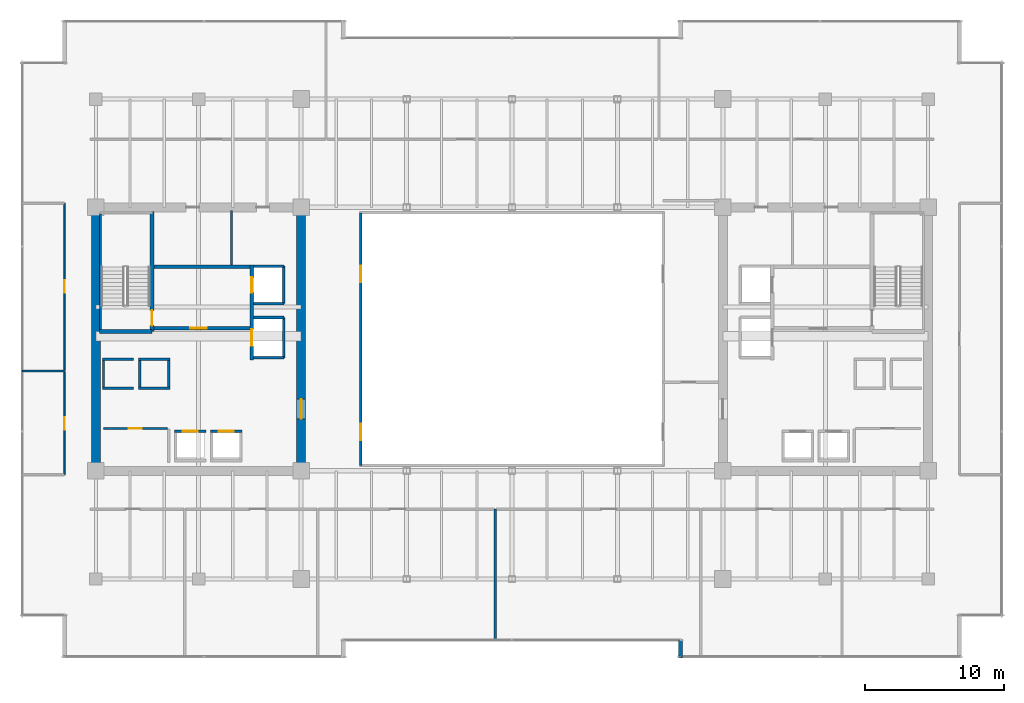
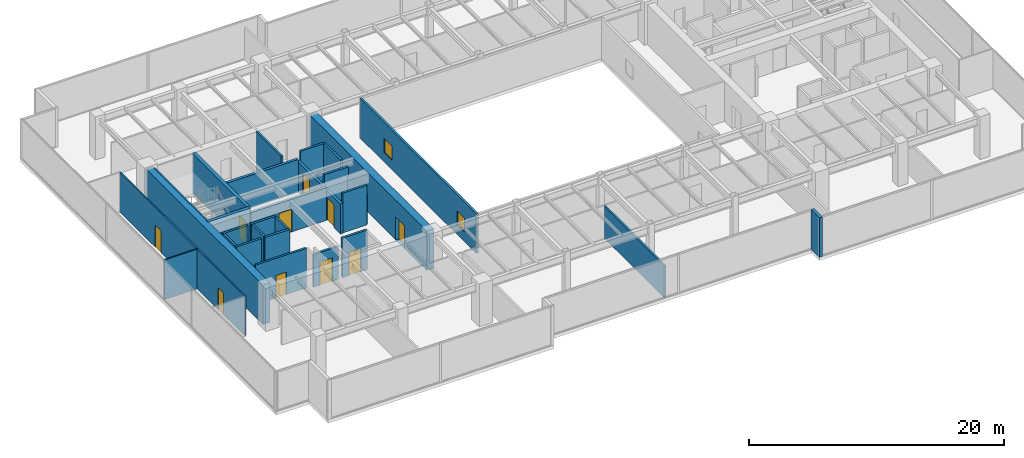
# One storey, part 25 of 30: 31 walls, 10 doors, 2 windows, 12 openings.
"""IFC4 building model written with IfcOpenShell, lengths in metres."""

import ifcopenshell
import ifcopenshell.guid

model = None  # the IFC model being written
_history = None  # IfcOwnerHistory: only IFC2X3 demands one
_inside = {}  # id of a spatial element -> (the spatial element, [elements in it])
_under = {}  # id of a project, library or spatial element -> (it, [spatial elements below it])
_declared = {}  # id of a project -> (the project, [libraries it declares])
_typed = {}  # id of a type object -> (the type object, [elements of that type])
_made_of = {}  # id of a material, layer set ... -> (it, [elements and type objects made of it])


def new_model(schema):
    """Start an empty IFC model of exactly this schema.

    Asked for "IFC4X3", IfcOpenShell would pick the latest addendum, in which some entities
    have other attributes; the version numbers below select the first issue.
    IFC2X3 requires an IfcOwnerHistory on every rooted entity: one is made here for all.
    """
    global model, _history
    if schema == "IFC4X3":
        model = ifcopenshell.file(schema_version=(4, 3, 0, 0))
    else:
        model = ifcopenshell.file(schema=schema)
    _inside.clear()
    _under.clear()
    _declared.clear()
    _typed.clear()
    _made_of.clear()
    _history = None
    if model.schema == "IFC2X3":
        org = make("IfcOrganization", Name="unknown")
        user = make(
            "IfcPersonAndOrganization",
            ThePerson=make("IfcPerson", FamilyName="unknown"),
            TheOrganization=org,
        )
        app = make(
            "IfcApplication",
            ApplicationDeveloper=org,
            Version="unknown",
            ApplicationFullName="unknown",
            ApplicationIdentifier="unknown",
        )
        _history = make(
            "IfcOwnerHistory",
            OwningUser=user,
            OwningApplication=app,
            ChangeAction="ADDED",
            CreationDate=0,
        )
    return model


def make(cls, **values):
    """One entity of the class cls with the attributes given. An attribute that is None is left unset."""
    return model.create_entity(
        cls, **{name: value for name, value in values.items() if value is not None}
    )


def rooted(cls, **values):
    """An entity with a GlobalId (a new one), such as an element, a storey or a relation."""
    return make(cls, GlobalId=ifcopenshell.guid.new(), OwnerHistory=_history, **values)


def si_unit(unit_type, name, prefix=None):
    """IfcSIUnit, for example si_unit("LENGTHUNIT", "METRE", prefix="MILLI")."""
    return make("IfcSIUnit", UnitType=unit_type, Prefix=prefix, Name=name)


def assignment(units):
    """IfcUnitAssignment: the units of a project."""
    return None if units is None else make("IfcUnitAssignment", Units=units)


def point(xyz):
    """IfcCartesianPoint."""
    return None if xyz is None else make("IfcCartesianPoint", Coordinates=xyz)


def direction(xyz):
    """IfcDirection."""
    return None if xyz is None else make("IfcDirection", DirectionRatios=xyz)


def frame(location, z_axis=None, x_axis=None):
    """IfcAxis2Placement3D, a coordinate frame: its origin and axes. An axis left out is left unset."""
    return make(
        "IfcAxis2Placement3D",
        Location=point(location),
        Axis=direction(z_axis),
        RefDirection=direction(x_axis),
    )


def frame_2d(location, x_axis=None):
    """IfcAxis2Placement2D, a coordinate frame in the plane: its origin and x axis."""
    return make(
        "IfcAxis2Placement2D", Location=point(location), RefDirection=direction(x_axis)
    )


def origin():
    """The frame at (0, 0, 0) with its axes left unset."""
    return frame((0.0, 0.0, 0.0))


def place(relative_to, where):
    """IfcLocalPlacement: puts the frame where relative to a parent placement (None: the world)."""
    return make(
        "IfcLocalPlacement", PlacementRelTo=relative_to, RelativePlacement=where
    )


def context(
    kind, dimensions, precision=None, world=None, true_north=None, identifier=None
):
    """IfcGeometricRepresentationContext, for example the 3D "Model" context."""
    return make(
        "IfcGeometricRepresentationContext",
        ContextIdentifier=identifier,
        ContextType=kind,
        CoordinateSpaceDimension=dimensions,
        Precision=precision,
        WorldCoordinateSystem=world,
        TrueNorth=true_north,
    )


def subcontext(parent, identifier, kind, view, scale=None):
    """IfcGeometricRepresentationSubContext, for example "Body" below "Model"."""
    return make(
        "IfcGeometricRepresentationSubContext",
        ContextIdentifier=identifier,
        ContextType=kind,
        ParentContext=parent,
        TargetScale=scale,
        TargetView=view,
    )


def project(units=None, contexts=None):
    """IfcProject with its units and contexts."""
    return rooted(
        "IfcProject",
        Name="project",
        RepresentationContexts=contexts,
        UnitsInContext=assignment(units),
    )


def spatial(cls, under=None, at=None, **own):
    """A site, building, storey or space (cls), placed at a placement, below another one or the project."""
    s = rooted(cls, ObjectPlacement=at, **own)
    if under is not None:
        _under.setdefault(under.id(), (under, []))[1].append(s)
    return s


def profile(cls, at=None, kind="AREA", **sizes):
    """A parametric profile (cls). Its sizes go by their IFC names, for example OverallWidth=200.0."""
    return make(cls, ProfileType=kind, Position=at, **sizes)


def rectangle(**sizes):
    """IfcRectangleProfileDef."""
    return profile("IfcRectangleProfileDef", **sizes)


def extrude(swept, where, along, depth):
    """IfcExtrudedAreaSolid: the profile swept, set in the frame where, extruded along a direction by depth."""
    return make(
        "IfcExtrudedAreaSolid",
        SweptArea=swept,
        Position=where,
        ExtrudedDirection=direction(along),
        Depth=depth,
    )


def shape(context_of_items, identifier, shape_type, items):
    """IfcShapeRepresentation: the items that make up one representation, for example the "Body"."""
    return make(
        "IfcShapeRepresentation",
        ContextOfItems=context_of_items,
        RepresentationIdentifier=identifier,
        RepresentationType=shape_type,
        Items=items,
    )


def source(mapping_origin, context_of_items, identifier, shape_type, items):
    """IfcRepresentationMap: a shape defined once, which mapped items show again and again."""
    return make(
        "IfcRepresentationMap",
        MappingOrigin=mapping_origin,
        MappedRepresentation=shape(context_of_items, identifier, shape_type, items),
    )


def transform(
    local_origin,
    x_axis=None,
    y_axis=None,
    z_axis=None,
    scale=None,
    scale2=None,
    scale3=None,
    uniform=True,
):
    """IfcCartesianTransformationOperator3D, or its non-uniform kind. x_axis, y_axis, z_axis: its Axis1, 2, 3."""
    if uniform:
        return make(
            "IfcCartesianTransformationOperator3D",
            Axis1=direction(x_axis),
            Axis2=direction(y_axis),
            LocalOrigin=point(local_origin),
            Scale=scale,
            Axis3=direction(z_axis),
        )
    return make(
        "IfcCartesianTransformationOperator3DnonUniform",
        Axis1=direction(x_axis),
        Axis2=direction(y_axis),
        LocalOrigin=point(local_origin),
        Scale=scale,
        Axis3=direction(z_axis),
        Scale2=scale2,
        Scale3=scale3,
    )


def mapped(mapping_source, mapping_target):
    """IfcMappedItem: shows the shape of a source again, moved by a transform."""
    return make(
        "IfcMappedItem", MappingSource=mapping_source, MappingTarget=mapping_target
    )


def material(Name=None, Category=None):
    """IfcMaterial."""
    return make("IfcMaterial", Name=Name, Category=Category)


def layer(
    of_material, thickness, ventilated=None, Name=None, Category=None, Priority=None
):
    """IfcMaterialLayer: one layer of a wall or slab, of a material (None: an air gap)."""
    return make(
        "IfcMaterialLayer",
        Material=of_material,
        LayerThickness=thickness,
        IsVentilated=ventilated,
        Name=Name,
        Category=Category,
        Priority=Priority,
    )


def layer_set(layers, Name=None):
    """IfcMaterialLayerSet."""
    return make("IfcMaterialLayerSet", MaterialLayers=layers, LayerSetName=Name)


def made_of(thing, what):
    """Note that an element or type object is made of a material, layer set ...; save() writes the relation."""
    if what is not None:
        _made_of.setdefault(what.id(), (what, []))[1].append(thing)
    return thing


def type_object(cls, material=None, **own):
    """A type object (cls), such as IfcWallType, which elements share."""
    return made_of(rooted(cls, **own), material)


def type_shapes(of_type, sources):
    """Give a type object the sources (RepresentationMaps) that its elements show as mapped items."""
    of_type.RepresentationMaps = sources


def element(
    cls,
    number,
    at=None,
    inside=None,
    cuts=None,
    type_object=None,
    material=None,
    context=None,
    identifier="Body",
    shape_type=None,
    held_by="IfcProductDefinitionShape",
    body=None,
    shapes=None,
    **own,
):
    """One element of the class cls, such as IfcWall. Its Tag is "e" and its number.

    at: its placement. inside: the storey or other place that contains it. cuts: it is an
    opening in that element (IfcRelVoidsElement). A single representation is given by context,
    identifier, shape_type and body (its items); several are given by shapes. held_by: the class
    of the entity that holds the representations. save() writes the other relations.
    """
    e = rooted(cls, Tag="e%d" % number, ObjectPlacement=at, **own)
    if body is not None:
        shapes = [shape(context, identifier, shape_type, body)]
    if shapes is not None:
        e.Representation = make(held_by, Representations=shapes)
    if inside is not None:
        _inside.setdefault(inside.id(), (inside, []))[1].append(e)
    if cuts is not None:
        rooted(
            "IfcRelVoidsElement", RelatingBuildingElement=cuts, RelatedOpeningElement=e
        )
    if type_object is not None:
        _typed.setdefault(type_object.id(), (type_object, []))[1].append(e)
    return made_of(e, material)


def fill(opening, filler):
    """IfcRelFillsElement: the door or window that sits in an opening."""
    return rooted(
        "IfcRelFillsElement",
        RelatingOpeningElement=opening,
        RelatedBuildingElement=filler,
    )


def aggregate(whole, parts):
    """IfcRelAggregates: a whole, such as a stair, and the parts it consists of."""
    return rooted("IfcRelAggregates", RelatingObject=whole, RelatedObjects=parts)


def save(model, path):
    """Write the relations noted so far, then the file.

    IfcRelAggregates (storeys below a building ...), IfcRelContainedInSpatialStructure (elements
    in a storey), IfcRelDefinesByType, IfcRelAssociatesMaterial and IfcRelDeclares: one each for
    every whole, place, type object, material and project.
    """
    for whole, parts in _under.values():
        aggregate(whole, parts)
    for where, things in _inside.values():
        rooted(
            "IfcRelContainedInSpatialStructure",
            RelatedElements=things,
            RelatingStructure=where,
        )
    for kind, things in _typed.values():
        rooted("IfcRelDefinesByType", RelatedObjects=things, RelatingType=kind)
    for what, things in _made_of.values():
        rooted("IfcRelAssociatesMaterial", RelatedObjects=things, RelatingMaterial=what)
    for by, libraries in _declared.values():
        rooted("IfcRelDeclares", RelatingContext=by, RelatedDefinitions=libraries)
    model.write(path)


model = new_model("IFC4")

# Units and contexts
model_context = context("Model", 3, precision=1e-05, world=origin(), true_north=direction((0.0, 1.0)))
body_context = subcontext(model_context, "Body", "Model", "MODEL_VIEW")
ifc_project = project(units=[si_unit("LENGTHUNIT", "METRE"), si_unit("AREAUNIT", "SQUARE_METRE"), si_unit("VOLUMEUNIT", "CUBIC_METRE"), si_unit("PLANEANGLEUNIT", "RADIAN"), si_unit("MASSUNIT", "GRAM", prefix="KILO")], contexts=[model_context])

# Site, building, storey
site_placement = place(None, origin())
site = spatial("IfcSite", under=ifc_project, at=site_placement, CompositionType="ELEMENT")
building_placement = place(site_placement, origin())
building = spatial("IfcBuilding", under=site, at=building_placement, Name="Haelvirn Gate Laboratories", CompositionType="ELEMENT")
storey_placement = place(building_placement, frame((0.0, 0.0, 129.699951171875)))
storey = spatial("IfcBuildingStorey", under=building, at=storey_placement, Name="L31", CompositionType="ELEMENT", Elevation=129.699951171875)

# Walls
ifc_material_1 = material(Name="Thermally-broken bronze aluminium rainscreen & mineral wool", Category="aluminium")
ifc_layer_1 = layer(ifc_material_1, 0.280029296875, Name="EW-TERR-280")
ifc_layer_set_1 = layer_set([ifc_layer_1], Name="Thermally-broken bronze aluminium rainscreen & mineral wool")
wall_type_1 = type_object("IfcWallType", Name="EW-TERR-280", PredefinedType="STANDARD", material=ifc_layer_set_1)
wall_1_placement = place(storey_placement, frame((49.5400390625, 2.587890625, 0.0), z_axis=(0.0, 0.0, 1.0), x_axis=(0.0, -1.0, 0.0)))
element("IfcWall", 1, at=wall_1_placement, inside=storey, type_object=wall_type_1, Name="L31 Atrium Recess Bronze Return Wall 03", PredefinedType="STANDARD", context=body_context, shape_type="SweptSolid", body=[
    extrude(rectangle(XDim=1.287841796875, YDim=0.280029296875, at=frame_2d((0.64404296875, 0.0))), origin(), (0.0, 0.0, 1.0), 3.7900390625),
])
ifc_material_2 = material(Name="Double-layer acoustic gypsum laboratory partition", Category="gypsum")
ifc_layer_2 = layer(ifc_material_2, 0.159912109375, Name="IW-ACOUST-160")
ifc_layer_set_2 = layer_set([ifc_layer_2], Name="Double-layer acoustic gypsum laboratory partition")
wall_type_2 = type_object("IfcWallType", Name="IW-ACOUST-160", PredefinedType="PARTITIONING", material=ifc_layer_set_2)
wall_2_placement = place(storey_placement, frame((36.199951171875, 2.610107421875, 0.0), z_axis=(0.0, 0.0, 1.0), x_axis=(0.0, 1.0, 0.0)))
element("IfcWall", 2, at=wall_2_placement, inside=storey, type_object=wall_type_2, Name="L31 Interior Wall IW-L31-SDIV-03", PredefinedType="PARTITIONING", context=body_context, shape_type="SweptSolid", body=[
    extrude(rectangle(XDim=9.429931640625, YDim=0.159912109375, at=frame_2d((4.71484375, 0.0))), origin(), (0.0, 0.0, 1.0), 3.074951171875),
])

# Wall, openings, windows
ifc_material_3 = material(Name="Tempered fire-rated borosilicate glass & anodised aluminium", Category="aluminium")
ifc_layer_3 = layer(ifc_material_3, 0.195068359375, Name="IW-GLAZ-200")
ifc_layer_set_3 = layer_set([ifc_layer_3], Name="Tempered fire-rated borosilicate glass & anodised aluminium")
wall_type_3 = type_object("IfcWallType", Name="IW-GLAZ-200", PredefinedType="SOLIDWALL", material=ifc_layer_set_3)
wall_3_placement = place(storey_placement, frame((26.5, 15.199951171875, 0.0), z_axis=(0.0, 0.0, 1.0), x_axis=(0.0, 1.0, 0.0)))
wall_3 = element("IfcWall", 3, at=wall_3_placement, inside=storey, type_object=wall_type_3, Name="L31 Interior Wall IW-L31-ATRIUM-W", PredefinedType="SOLIDWALL", context=body_context, shape_type="SweptSolid", body=[
    extrude(rectangle(XDim=18.199951171875, YDim=0.195068359375, at=frame_2d((9.10009765625, 0.0))), origin(), (0.0, 0.0, 1.0), 3.7900390625),
])
opening_1_placement = place(wall_3_placement, frame((1.800048828125, 0.0, 0.89990234375)))
opening_1 = element("IfcOpeningElement", 4, at=opening_1_placement, cuts=wall_3, Name="Opening W6", PredefinedType="OPENING", context=body_context, shape_type="SweptSolid", body=[
    extrude(rectangle(XDim=1.199951171875, YDim=1.35009765625, at=frame_2d((0.60009765625, 0.675048828125))), frame((0.0, 0.107421875, 0.0), z_axis=(0.0, -1.0, 0.0), x_axis=(1.0, 0.0, 0.0)), (0.0, 0.0, 1.0), 0.215087890625),
])
opening_2_placement = place(wall_3_placement, frame((13.199951171875, 0.0, 0.89990234375)))
opening_2 = element("IfcOpeningElement", 5, at=opening_2_placement, cuts=wall_3, Name="Opening W6", PredefinedType="OPENING", context=body_context, shape_type="SweptSolid", body=[
    extrude(rectangle(XDim=1.199951171875, YDim=1.35009765625, at=frame_2d((0.60009765625, 0.675048828125))), frame((0.0, 0.107421875, 0.0), z_axis=(0.0, -1.0, 0.0), x_axis=(1.0, 0.0, 0.0)), (0.0, 0.0, 1.0), 0.215087890625),
])
ifc_material_4 = material(Name="Fire-rated EI 120 borosilicate atrium vision glazing", Category="glass")
window_type = type_object("IfcWindowType", Name="WN-ATR-1200", PartitioningType="SINGLE_PANEL", PredefinedType="WINDOW", material=ifc_material_4)
shared_shape_1 = source(origin(), body_context, "Body", "SweptSolid", [
    extrude(rectangle(XDim=1.199951171875, YDim=1.35009765625, at=frame_2d((0.60009765625, 0.675048828125))), frame((0.0, 0.030029296875, 0.0), z_axis=(0.0, -1.0, 0.0), x_axis=(1.0, 0.0, 0.0)), (0.0, 0.0, 1.0), 0.06005859375),
])
type_shapes(window_type, [shared_shape_1])
window_1_placement = place(opening_1_placement, origin())
window_1 = element("IfcWindow", 6, at=window_1_placement, inside=storey, type_object=window_type, Name="L31 Atrium Observation Window 1", OverallHeight=1.35009765625, OverallWidth=1.199951171875, PartitioningType="SINGLE_PANEL", PredefinedType="WINDOW", context=body_context, shape_type="MappedRepresentation", body=[
    mapped(shared_shape_1, transform((0.0, 0.0, 0.0), scale=1.0)),
])
fill(opening_1, window_1)
window_2_placement = place(opening_2_placement, origin())
window_2 = element("IfcWindow", 7, at=window_2_placement, inside=storey, type_object=window_type, Name="L31 Atrium Observation Window 2", OverallHeight=1.35009765625, OverallWidth=1.199951171875, PartitioningType="SINGLE_PANEL", PredefinedType="WINDOW", context=body_context, shape_type="MappedRepresentation", body=[
    mapped(shared_shape_1, transform((0.0, 0.0, 0.0), scale=1.0)),
])
fill(opening_2, window_2)

# Wall, opening, door
ifc_material_5 = material(Name="Lightweight acoustic gypsum board partition", Category="gypsum")
ifc_layer_4 = layer(ifc_material_5, 0.1201171875, Name="IW-PART-120")
ifc_layer_set_4 = layer_set([ifc_layer_4], Name="Lightweight acoustic gypsum board partition")
wall_type_4 = type_object("IfcWallType", Name="IW-PART-120", PredefinedType="PARTITIONING", material=ifc_layer_set_4)
wall_4_placement = place(storey_placement, frame((5.1298828125, 14.514892578125, 0.0), z_axis=(0.0, 0.0, 1.0), x_axis=(0.0, 1.0, 0.0)))
wall_4 = element("IfcWall", 8, at=wall_4_placement, inside=storey, type_object=wall_type_4, Name="L31 Interior Wall IW-L31-WPASS-01", PredefinedType="PARTITIONING", context=body_context, shape_type="SweptSolid", body=[
    extrude(rectangle(XDim=7.425048828125, YDim=0.1201171875, at=frame_2d((3.71240234375, 0.0))), origin(), (0.0, 0.0, 1.0), 3.7900390625),
])
opening_3_placement = place(wall_4_placement, frame((3.262451171875, 0.0, 0.0)))
opening_3 = element("IfcOpeningElement", 9, at=opening_3_placement, cuts=wall_4, Name="Opening D4", PredefinedType="OPENING", context=body_context, shape_type="SweptSolid", body=[
    extrude(rectangle(XDim=0.89990234375, YDim=2.10009765625, at=frame_2d((0.449951171875, 1.050048828125))), frame((0.0, 0.070068359375, 0.0), z_axis=(0.0, -1.0, 0.0), x_axis=(1.0, 0.0, 0.0)), (0.0, 0.0, 1.0), 0.14013671875),
])
ifc_material_6 = material(Name="Glazed aluminium-framed write-up door", Category="aluminium")
door_type_1 = type_object("IfcDoorType", Name="DR-OFF-900", OperationType="NOTDEFINED", PredefinedType="DOOR", material=ifc_material_6)
shared_shape_2 = source(origin(), body_context, "Body", "SweptSolid", [
    extrude(rectangle(XDim=0.89990234375, YDim=2.10009765625, at=frame_2d((0.449951171875, 1.050048828125))), frame((0.0, 0.02490234375, 0.0), z_axis=(0.0, -1.0, 0.0), x_axis=(1.0, 0.0, 0.0)), (0.0, 0.0, 1.0), 0.050048828125),
])
type_shapes(door_type_1, [shared_shape_2])
door_1_placement = place(opening_3_placement, origin())
door_1 = element("IfcDoor", 10, at=door_1_placement, inside=storey, type_object=door_type_1, Name="L31 Researcher Break Pantry Door W1", OperationType="SINGLE_SWING_LEFT", OverallHeight=2.10009765625, OverallWidth=0.89990234375, PredefinedType="DOOR", context=body_context, shape_type="MappedRepresentation", body=[
    mapped(shared_shape_2, transform((0.0, 0.0, 0.0), scale=1.0)),
])
fill(opening_3, door_1)

# Wall
wall_5_placement = place(storey_placement, frame((2.110107421875, 22.0, 0.0), z_axis=(0.0, 0.0, 1.0), x_axis=(1.0, 0.0, 0.0)))
element("IfcWall", 11, at=wall_5_placement, inside=storey, type_object=wall_type_4, Name="L31 Interior Wall IW-L31-WDIV-01", PredefinedType="PARTITIONING", context=body_context, shape_type="SweptSolid", body=[
    extrude(rectangle(XDim=3.019775390625, YDim=0.1201171875, at=frame_2d((1.509765625, 0.0))), origin(), (0.0, 0.0, 1.0), 3.7900390625),
])

# Wall, opening, door
wall_6_placement = place(storey_placement, frame((5.1298828125, 22.06005859375, 0.0), z_axis=(0.0, 0.0, 1.0), x_axis=(0.0, 1.0, 0.0)))
wall_6 = element("IfcWall", 12, at=wall_6_placement, inside=storey, type_object=wall_type_4, Name="L31 Interior Wall IW-L31-WPASS-02", PredefinedType="PARTITIONING", context=body_context, shape_type="SweptSolid", body=[
    extrude(rectangle(XDim=12.02490234375, YDim=0.1201171875, at=frame_2d((6.012451171875, 0.0))), origin(), (0.0, 0.0, 1.0), 3.7900390625),
])
opening_4_placement = place(wall_6_placement, frame((5.5625, 0.0, 0.0)))
opening_4 = element("IfcOpeningElement", 13, at=opening_4_placement, cuts=wall_6, Name="Opening D4", PredefinedType="OPENING", context=body_context, shape_type="SweptSolid", body=[
    extrude(rectangle(XDim=0.89990234375, YDim=2.10009765625, at=frame_2d((0.449951171875, 1.050048828125))), frame((0.0, 0.070068359375, 0.0), z_axis=(0.0, -1.0, 0.0), x_axis=(1.0, 0.0, 0.0)), (0.0, 0.0, 1.0), 0.14013671875),
])
door_2_placement = place(opening_4_placement, origin())
door_2 = element("IfcDoor", 14, at=door_2_placement, inside=storey, type_object=door_type_1, Name="L31 Bioprocess Foundry Laboratory Door W2", OperationType="SINGLE_SWING_RIGHT", OverallHeight=2.10009765625, OverallWidth=0.89990234375, PredefinedType="DOOR", context=body_context, shape_type="MappedRepresentation", body=[
    mapped(shared_shape_2, transform((0.0, 0.0, 0.0), scale=1.0)),
])
fill(opening_4, door_2)

# Walls
ifc_material_7 = material(Name="Cement-board restroom plumbing chase wall", Category="gypsum")
ifc_layer_5 = layer(ifc_material_7, 0.155029296875, Name="IW-PLUMB-160")
ifc_layer_set_5 = layer_set([ifc_layer_5], Name="Cement-board restroom plumbing chase wall")
wall_type_5 = type_object("IfcWallType", Name="IW-PLUMB-160", PredefinedType="PLUMBINGWALL", material=ifc_layer_set_5)
wall_7_placement = place(storey_placement, frame((17.18994140625, 29.64990234375, 0.0), z_axis=(0.0, 0.0, 1.0), x_axis=(0.0, 1.0, 0.0)))
element("IfcWall", 15, at=wall_7_placement, inside=storey, type_object=wall_type_5, Name="L31 Interior Wall IW-L31-W-CDIV-1", PredefinedType="PLUMBINGWALL", context=body_context, shape_type="SweptSolid", body=[
    extrude(rectangle(XDim=3.93017578125, YDim=0.155029296875, at=frame_2d((1.965087890625, 0.0))), origin(), (0.0, 0.0, 1.0), 3.7900390625),
])
ifc_material_8 = material(Name="Concrete C40/50", Category="concrete")
ifc_layer_6 = layer(ifc_material_8, 0.179931640625, Name="IW-SHAFT-180")
ifc_layer_set_6 = layer_set([ifc_layer_6], Name="Concrete C40/50")
wall_type_6 = type_object("IfcWallType", Name="IW-SHAFT-180", PredefinedType="SOLIDWALL", material=ifc_layer_set_6)
for number, where, z_axis, x_axis, name in (
    (16, (7.949951171875, 20.85009765625, 0.0), (0.0, 0.0, 1.0), (0.0, 1.0, 0.0), "L31 Interior Wall IW-L31-PL9-SD"),
    (17, (10.550048828125, 20.85009765625, 0.0), (0.0, 0.0, 1.0), (0.0, 1.0, 0.0), "L31 Interior Wall IW-L31-PL10-SD"),
    (18, (12.64990234375, 20.85009765625, 0.0), (0.0, 0.0, 1.0), (0.0, 1.0, 0.0), "L31 Interior Wall IW-L31-PL10-SDE"),
):
    element("IfcWall", number, at=place(storey_placement, frame(where, z_axis=z_axis, x_axis=x_axis)), inside=storey, type_object=wall_type_6, Name=name, PredefinedType="SOLIDWALL", context=body_context, shape_type="SweptSolid", body=[
        extrude(rectangle(XDim=1.89990234375, YDim=0.179931640625, at=frame_2d((0.949951171875, 0.0))), origin(), (0.0, 0.0, 1.0), 3.7900390625),
    ])

# Wall, opening, door
wall_8_placement = place(storey_placement, frame((7.949951171875, 17.85009765625, 0.0), z_axis=(0.0, 0.0, 1.0), x_axis=(1.0, 0.0, 0.0)))
wall_8 = element("IfcWall", 19, at=wall_8_placement, inside=storey, type_object=wall_type_6, Name="L31 Interior Wall IW-L31-W-FREED-LN-1", PredefinedType="SOLIDWALL", context=body_context, shape_type="SweptSolid", body=[
    extrude(rectangle(XDim=4.60009765625, YDim=0.179931640625, at=frame_2d((2.300048828125, 0.0))), origin(), (0.0, 0.0, 1.0), 3.7900390625),
])
opening_5_placement = place(wall_8_placement, frame((1.824951171875, 0.0, 0.0)))
opening_5 = element("IfcOpeningElement", 20, at=opening_5_placement, cuts=wall_8, Name="Opening FD4", PredefinedType="OPENING", context=body_context, shape_type="SweptSolid", body=[
    extrude(rectangle(XDim=0.949951171875, YDim=2.14990234375, at=frame_2d((0.47509765625, 1.074951171875))), frame((0.0, 0.10009765625, 0.0), z_axis=(0.0, -1.0, 0.0), x_axis=(1.0, 0.0, 0.0)), (0.0, 0.0, 1.0), 0.199951171875),
])
ifc_material_9 = material(Name="Fire-rated steel SM355 core service door", Category="steel")
door_type_2 = type_object("IfcDoorType", Name="DR-FD-950", OperationType="NOTDEFINED", PredefinedType="DOOR", material=ifc_material_9)
shared_shape_3 = source(origin(), body_context, "Body", "SweptSolid", [
    extrude(rectangle(XDim=0.949951171875, YDim=2.14990234375, at=frame_2d((0.47509765625, 1.074951171875))), frame((0.0, 0.02490234375, 0.0), z_axis=(0.0, -1.0, 0.0), x_axis=(1.0, 0.0, 0.0)), (0.0, 0.0, 1.0), 0.050048828125),
])
type_shapes(door_type_2, [shared_shape_3])
door_3_placement = place(opening_5_placement, origin())
door_3 = element("IfcDoor", 21, at=door_3_placement, inside=storey, type_object=door_type_2, Name="L31 Cryogenic Specimen Biobank Door", OperationType="SINGLE_SWING_LEFT", OverallHeight=2.14990234375, OverallWidth=0.949951171875, PredefinedType="DOOR", context=body_context, shape_type="MappedRepresentation", body=[
    mapped(shared_shape_3, transform((0.0, 0.0, 0.0), scale=1.0)),
])
fill(opening_5, door_3)

ifc_layer_7 = layer(ifc_material_8, 0.199951171875, Name="IW-SHAFT-200")
ifc_layer_set_7 = layer_set([ifc_layer_7], Name="Concrete C40/50")
wall_type_7 = type_object("IfcWallType", Name="IW-SHAFT-200", PredefinedType="SOLIDWALL", material=ifc_layer_set_7)
wall_9_placement = place(storey_placement, frame((13.070068359375, 17.64990234375, 0.0), z_axis=(0.0, 0.0, 1.0), x_axis=(1.0, 0.0, 0.0)))
wall_9 = element("IfcWall", 22, at=wall_9_placement, inside=storey, type_object=wall_type_7, Name="L31 Interior Wall IW-L31-PL5-FR", PredefinedType="SOLIDWALL", context=body_context, shape_type="SweptSolid", body=[
    extrude(rectangle(XDim=2.260009765625, YDim=0.199951171875, at=frame_2d((1.1298828125, 0.0))), origin(), (0.0, 0.0, 1.0), 3.125),
])
opening_6_placement = place(wall_9_placement, frame((0.580078125, 0.0, 0.0)))
opening_6 = element("IfcOpeningElement", 23, at=opening_6_placement, cuts=wall_9, Name="Opening LD2", PredefinedType="OPENING", context=body_context, shape_type="SweptSolid", body=[
    extrude(rectangle(XDim=1.10009765625, YDim=2.219970703125, at=frame_2d((0.550048828125, 1.10986328125))), frame((0.0, 0.10986328125, 0.0), z_axis=(0.0, -1.0, 0.0), x_axis=(1.0, 0.0, 0.0)), (0.0, 0.0, 1.0), 0.219970703125),
])
ifc_material_10 = material(Name="Bronze stainless 316L sliding lift landing door")
door_type_3 = type_object("IfcDoorType", Name="DR-LD-1100", OperationType="NOTDEFINED", PredefinedType="USERDEFINED", material=ifc_material_10)
shared_shape_4 = source(origin(), body_context, "Body", "SweptSolid", [
    extrude(rectangle(XDim=1.10009765625, YDim=2.219970703125, at=frame_2d((0.550048828125, 1.10986328125))), frame((0.0, 0.02490234375, 0.0), z_axis=(0.0, -1.0, 0.0), x_axis=(1.0, 0.0, 0.0)), (0.0, 0.0, 1.0), 0.050048828125),
])
type_shapes(door_type_3, [shared_shape_4])
door_4_placement = place(opening_6_placement, origin())
door_4 = element("IfcDoor", 24, at=door_4_placement, inside=storey, type_object=door_type_3, Name="L31 Passenger Lift PL5 Landing Door", ObjectType="LANDING_DOOR", OperationType="SLIDING_TO_LEFT", OverallHeight=2.219970703125, OverallWidth=1.10009765625, PredefinedType="USERDEFINED", context=body_context, shape_type="MappedRepresentation", body=[
    mapped(shared_shape_4, transform((0.0, 0.0, 0.0), scale=1.0)),
])
fill(opening_6, door_4)

wall_10_placement = place(storey_placement, frame((15.669921875, 17.64990234375, 0.0), z_axis=(0.0, 0.0, 1.0), x_axis=(1.0, 0.0, 0.0)))
wall_10 = element("IfcWall", 25, at=wall_10_placement, inside=storey, type_object=wall_type_7, Name="L31 Interior Wall IW-L31-PL6-FR", PredefinedType="SOLIDWALL", context=body_context, shape_type="SweptSolid", body=[
    extrude(rectangle(XDim=2.260009765625, YDim=0.199951171875, at=frame_2d((1.1298828125, 0.0))), origin(), (0.0, 0.0, 1.0), 3.7900390625),
])
opening_7_placement = place(wall_10_placement, frame((0.580078125, 0.0, 0.0)))
opening_7 = element("IfcOpeningElement", 26, at=opening_7_placement, cuts=wall_10, Name="Opening LD2", PredefinedType="OPENING", context=body_context, shape_type="SweptSolid", body=[
    extrude(rectangle(XDim=1.10009765625, YDim=2.219970703125, at=frame_2d((0.550048828125, 1.10986328125))), frame((0.0, 0.10986328125, 0.0), z_axis=(0.0, -1.0, 0.0), x_axis=(1.0, 0.0, 0.0)), (0.0, 0.0, 1.0), 0.219970703125),
])
door_5_placement = place(opening_7_placement, origin())
door_5 = element("IfcDoor", 27, at=door_5_placement, inside=storey, type_object=door_type_3, Name="L31 Passenger Lift PL6 Landing Door", ObjectType="LANDING_DOOR", OperationType="SLIDING_TO_RIGHT", OverallHeight=2.219970703125, OverallWidth=1.10009765625, PredefinedType="USERDEFINED", context=body_context, shape_type="MappedRepresentation", body=[
    mapped(shared_shape_4, transform((0.0, 0.0, 0.0), scale=1.0)),
])
fill(opening_7, door_5)

# Walls
for number, where, z_axis, x_axis, name in (
    (28, (7.8701171875, 20.75, 0.0), (0.0, 0.0, 1.0), (1.0, 0.0, 0.0), "L31 Interior Wall IW-L31-PL9-FR"),
    (29, (7.8701171875, 22.85009765625, 0.0), (0.0, 0.0, 1.0), (1.0, 0.0, 0.0), "L31 Interior Wall IW-L31-PL9-BK"),
):
    element("IfcWall", number, at=place(storey_placement, frame(where, z_axis=z_axis, x_axis=x_axis)), inside=storey, type_object=wall_type_7, Name=name, PredefinedType="SOLIDWALL", context=body_context, shape_type="SweptSolid", body=[
        extrude(rectangle(XDim=2.259765625, YDim=0.199951171875, at=frame_2d((1.1298828125, 0.0))), origin(), (0.0, 0.0, 1.0), 3.7900390625),
    ])
for number, where, z_axis, x_axis, name in (
    (30, (10.469970703125, 20.75, 0.0), (0.0, 0.0, 1.0), (1.0, 0.0, 0.0), "L31 Interior Wall IW-L31-PL10-FR"),
    (31, (10.469970703125, 22.85009765625, 0.0), (0.0, 0.0, 1.0), (1.0, 0.0, 0.0), "L31 Interior Wall IW-L31-PL10-BK"),
):
    element("IfcWall", number, at=place(storey_placement, frame(where, z_axis=z_axis, x_axis=x_axis)), inside=storey, type_object=wall_type_7, Name=name, PredefinedType="SOLIDWALL", context=body_context, shape_type="SweptSolid", body=[
        extrude(rectangle(XDim=2.260009765625, YDim=0.199951171875, at=frame_2d((1.1298828125, 0.0))), origin(), (0.0, 0.0, 1.0), 3.7900390625),
    ])
wall_11_placement = place(storey_placement, frame((20.949951171875, 26.85009765625, 0.0), z_axis=(0.0, 0.0, 1.0), x_axis=(0.0, 1.0, 0.0)))
element("IfcWall", 32, at=wall_11_placement, inside=storey, type_object=wall_type_7, Name="L31 Interior Wall IW-L31-FL1-BK", PredefinedType="SOLIDWALL", context=body_context, shape_type="SweptSolid", body=[
    extrude(rectangle(XDim=2.699951171875, YDim=0.199951171875, at=frame_2d((1.35009765625, 0.0))), origin(), (0.0, 0.0, 1.0), 3.7900390625),
])
wall_12_placement = place(storey_placement, frame((18.760009765625, 29.550048828125, 0.0), z_axis=(0.0, 0.0, 1.0), x_axis=(1.0, 0.0, 0.0)))
element("IfcWall", 33, at=wall_12_placement, inside=storey, type_object=wall_type_7, Name="L31 Interior Wall IW-L31-FL1-N", PredefinedType="SOLIDWALL", context=body_context, shape_type="SweptSolid", body=[
    extrude(rectangle(XDim=2.18994140625, YDim=0.199951171875, at=frame_2d((1.094970703125, 0.0))), origin(), (0.0, 0.0, 1.0), 3.7900390625),
])
wall_13_placement = place(storey_placement, frame((18.760009765625, 26.85009765625, 0.0), z_axis=(0.0, 0.0, 1.0), x_axis=(1.0, 0.0, 0.0)))
element("IfcWall", 34, at=wall_13_placement, inside=storey, type_object=wall_type_7, Name="L31 Interior Wall IW-L31-FL1-S", PredefinedType="SOLIDWALL", context=body_context, shape_type="SweptSolid", body=[
    extrude(rectangle(XDim=2.18994140625, YDim=0.199951171875, at=frame_2d((1.094970703125, 0.0))), origin(), (0.0, 0.0, 1.0), 3.18701171875),
])
wall_14_placement = place(storey_placement, frame((20.949951171875, 22.949951171875, 0.0), z_axis=(0.0, 0.0, 1.0), x_axis=(0.0, 1.0, 0.0)))
element("IfcWall", 35, at=wall_14_placement, inside=storey, type_object=wall_type_7, Name="L31 Interior Wall IW-L31-SL1-BK", PredefinedType="SOLIDWALL", context=body_context, shape_type="SweptSolid", body=[
    extrude(rectangle(XDim=2.900146484375, YDim=0.199951171875, at=frame_2d((1.4501953125, 0.0))), origin(), (0.0, 0.0, 1.0), 2.875),
])
for number, where, z_axis, x_axis, name in (
    (36, (18.760009765625, 25.85009765625, 0.0), (0.0, 0.0, 1.0), (1.0, 0.0, 0.0), "L31 Interior Wall IW-L31-SL1-N"),
    (37, (18.760009765625, 22.949951171875, 0.0), (0.0, 0.0, 1.0), (1.0, 0.0, 0.0), "L31 Interior Wall IW-L31-SL1-S"),
):
    element("IfcWall", number, at=place(storey_placement, frame(where, z_axis=z_axis, x_axis=x_axis)), inside=storey, type_object=wall_type_7, Name=name, PredefinedType="SOLIDWALL", context=body_context, shape_type="SweptSolid", body=[
        extrude(rectangle(XDim=2.18994140625, YDim=0.199951171875, at=frame_2d((1.094970703125, 0.0))), origin(), (0.0, 0.0, 1.0), 3.7900390625),
    ])

# Wall, opening, door
ifc_layer_8 = layer(ifc_material_8, 0.239990234375, Name="IW-SHAFT-240")
ifc_layer_set_8 = layer_set([ifc_layer_8], Name="Concrete C40/50")
wall_type_8 = type_object("IfcWallType", Name="IW-SHAFT-240", PredefinedType="SOLIDWALL", material=ifc_layer_set_8)
wall_15_placement = place(storey_placement, frame((11.60009765625, 25.080078125, 0.0), z_axis=(0.0, 0.0, 1.0), x_axis=(1.0, 0.0, 0.0)))
wall_15 = element("IfcWall", 38, at=wall_15_placement, inside=storey, type_object=wall_type_8, Name="L31 Interior Wall IW-L31-W-FF-S", PredefinedType="SOLIDWALL", context=body_context, shape_type="SweptSolid", body=[
    extrude(rectangle(XDim=6.919921875, YDim=0.239990234375, at=frame_2d((3.4599609375, 0.0))), origin(), (0.0, 0.0, 1.0), 3.125),
])
opening_8_placement = place(wall_15_placement, frame((2.60009765625, 0.0, 0.0)))
opening_8 = element("IfcOpeningElement", 39, at=opening_8_placement, cuts=wall_15, Name="Opening FD2", PredefinedType="OPENING", context=body_context, shape_type="SweptSolid", body=[
    extrude(rectangle(XDim=1.199951171875, YDim=2.159912109375, at=frame_2d((0.60009765625, 1.080078125))), frame((0.0, 0.1298828125, 0.0), z_axis=(0.0, -1.0, 0.0), x_axis=(1.0, 0.0, 0.0)), (0.0, 0.0, 1.0), 0.260009765625),
])
ifc_material_11 = material(Name="Fire-rated steel SM355 compartment door", Category="steel")
door_type_4 = type_object("IfcDoorType", Name="DR-FD-1200", OperationType="NOTDEFINED", PredefinedType="DOOR", material=ifc_material_11)
shared_shape_5 = source(origin(), body_context, "Body", "SweptSolid", [
    extrude(rectangle(XDim=1.199951171875, YDim=2.159912109375, at=frame_2d((0.60009765625, 1.080078125))), frame((0.0, 0.02490234375, 0.0), z_axis=(0.0, -1.0, 0.0), x_axis=(1.0, 0.0, 0.0)), (0.0, 0.0, 1.0), 0.050048828125),
])
type_shapes(door_type_4, [shared_shape_5])
door_6_placement = place(opening_8_placement, origin())
door_6 = element("IfcDoor", 40, at=door_6_placement, inside=storey, type_object=door_type_4, Name="L31 West Firefighting Lobby Door", OperationType="SINGLE_SWING_RIGHT", OverallHeight=2.159912109375, OverallWidth=1.199951171875, PredefinedType="DOOR", context=body_context, shape_type="MappedRepresentation", body=[
    mapped(shared_shape_5, transform((0.0, 0.0, 0.0), scale=1.0)),
])
fill(opening_8, door_6)

# Wall
wall_16_placement = place(storey_placement, frame((11.60009765625, 29.52001953125, 0.0), z_axis=(0.0, 0.0, 1.0), x_axis=(1.0, 0.0, 0.0)))
element("IfcWall", 41, at=wall_16_placement, inside=storey, type_object=wall_type_8, Name="L31 Interior Wall IW-L31-W-FF-N", PredefinedType="SOLIDWALL", context=body_context, shape_type="SweptSolid", body=[
    extrude(rectangle(XDim=6.919921875, YDim=0.239990234375, at=frame_2d((3.4599609375, 0.0))), origin(), (0.0, 0.0, 1.0), 3.125),
])

# Wall, openings, doors
wall_17_placement = place(storey_placement, frame((18.639892578125, 22.800048828125, 0.0), z_axis=(0.0, 0.0, 1.0), x_axis=(0.0, 1.0, 0.0)))
wall_17 = element("IfcWall", 42, at=wall_17_placement, inside=storey, type_object=wall_type_8, Name="L31 Interior Wall IW-L31-W-FF-E", PredefinedType="SOLIDWALL", context=body_context, shape_type="SweptSolid", body=[
    extrude(rectangle(XDim=6.849853515625, YDim=0.239990234375, at=frame_2d((3.4248046875, 0.0))), origin(), (0.0, 0.0, 1.0), 2.875),
])
opening_9_placement = place(wall_17_placement, frame((4.85009765625, 0.0, 0.0)))
opening_9 = element("IfcOpeningElement", 43, at=opening_9_placement, cuts=wall_17, Name="Opening LD2", PredefinedType="OPENING", context=body_context, shape_type="SweptSolid", body=[
    extrude(rectangle(XDim=1.10009765625, YDim=2.219970703125, at=frame_2d((0.550048828125, 1.10986328125))), frame((0.0, 0.1298828125, 0.0), z_axis=(0.0, -1.0, 0.0), x_axis=(1.0, 0.0, 0.0)), (0.0, 0.0, 1.0), 0.260009765625),
])
opening_10_placement = place(wall_17_placement, frame((1.0, 0.0, 0.0)))
opening_10 = element("IfcOpeningElement", 44, at=opening_10_placement, cuts=wall_17, Name="Opening LD1", PredefinedType="OPENING", context=body_context, shape_type="SweptSolid", body=[
    extrude(rectangle(XDim=1.199951171875, YDim=2.219970703125, at=frame_2d((0.60009765625, 1.10986328125))), frame((0.0, 0.1298828125, 0.0), z_axis=(0.0, -1.0, 0.0), x_axis=(1.0, 0.0, 0.0)), (0.0, 0.0, 1.0), 0.260009765625),
])
door_7_placement = place(opening_9_placement, origin())
door_7 = element("IfcDoor", 45, at=door_7_placement, inside=storey, type_object=door_type_3, Name="L31 Firefighting Lift FL1 Landing Door", ObjectType="LANDING_DOOR", OperationType="SLIDING_TO_LEFT", OverallHeight=2.219970703125, OverallWidth=1.10009765625, PredefinedType="USERDEFINED", context=body_context, shape_type="MappedRepresentation", body=[
    mapped(shared_shape_4, transform((0.0, 0.0, 0.0), scale=1.0)),
])
fill(opening_9, door_7)
ifc_material_12 = material(Name="Stainless steel 316L sliding goods landing door", Category="steel")
door_type_5 = type_object("IfcDoorType", Name="DR-LD-1200", OperationType="NOTDEFINED", PredefinedType="USERDEFINED", material=ifc_material_12)
shared_shape_6 = source(origin(), body_context, "Body", "SweptSolid", [
    extrude(rectangle(XDim=1.199951171875, YDim=2.219970703125, at=frame_2d((0.60009765625, 1.10986328125))), frame((0.0, 0.02490234375, 0.0), z_axis=(0.0, -1.0, 0.0), x_axis=(1.0, 0.0, 0.0)), (0.0, 0.0, 1.0), 0.050048828125),
])
type_shapes(door_type_5, [shared_shape_6])
door_8_placement = place(opening_10_placement, origin())
door_8 = element("IfcDoor", 46, at=door_8_placement, inside=storey, type_object=door_type_5, Name="L31 Service Lift SL1 Landing Door", ObjectType="LANDING_DOOR", OperationType="SLIDING_TO_RIGHT", OverallHeight=2.219970703125, OverallWidth=1.199951171875, PredefinedType="USERDEFINED", context=body_context, shape_type="MappedRepresentation", body=[
    mapped(shared_shape_6, transform((0.0, 0.0, 0.0), scale=1.0)),
])
fill(opening_10, door_8)

# Wall
ifc_material_13 = material(Name="Concrete C60/75", Category="concrete")
ifc_layer_9 = layer(ifc_material_13, 0.64990234375, Name="SW-CORE-650")
ifc_layer_set_9 = layer_set([ifc_layer_9], Name="Concrete C60/75")
wall_type_9 = type_object("IfcWallType", Name="SW-CORE-650", PredefinedType="SHEAR", material=ifc_layer_set_9)
wall_18_placement = place(storey_placement, frame((7.39990234375, 15.125, 0.0), z_axis=(0.0, 0.0, 1.0), x_axis=(0.0, 1.0, 0.0)))
element("IfcWall", 47, at=wall_18_placement, inside=storey, type_object=wall_type_9, Name="L31 W Core Shear Wall W", PredefinedType="SHEAR", context=body_context, shape_type="SweptSolid", body=[
    extrude(rectangle(XDim=18.35009765625, YDim=0.64990234375, at=frame_2d((9.175048828125, 0.0))), origin(), (0.0, 0.0, 1.0), 3.7900390625),
])

# Wall, opening, door
wall_19_placement = place(storey_placement, frame((22.199951171875, 15.125, 0.0), z_axis=(0.0, 0.0, 1.0), x_axis=(0.0, 1.0, 0.0)))
wall_19 = element("IfcWall", 48, at=wall_19_placement, inside=storey, type_object=wall_type_9, Name="L31 W Core Shear Wall E", PredefinedType="SHEAR", context=body_context, shape_type="SweptSolid", body=[
    extrude(rectangle(XDim=18.35009765625, YDim=0.64990234375, at=frame_2d((9.175048828125, 0.0))), origin(), (0.0, 0.0, 1.0), 3.7900390625),
])
opening_11_placement = place(wall_19_placement, frame((3.425048828125, 0.0, 0.0)))
opening_11 = element("IfcOpeningElement", 49, at=opening_11_placement, cuts=wall_19, Name="Opening FD1", PredefinedType="OPENING", context=body_context, shape_type="SweptSolid", body=[
    extrude(rectangle(XDim=1.419921875, YDim=2.199951171875, at=frame_2d((0.7099609375, 1.10009765625))), frame((0.0, 0.3349609375, 0.0), z_axis=(0.0, -1.0, 0.0), x_axis=(1.0, 0.0, 0.0)), (0.0, 0.0, 1.0), 0.669921875),
])
ifc_material_14 = material(Name="Fire-rated double steel SM355 lobby door", Category="steel")
door_type_6 = type_object("IfcDoorType", Name="DR-FD-1400", OperationType="NOTDEFINED", PredefinedType="DOOR", material=ifc_material_14)
shared_shape_7 = source(origin(), body_context, "Body", "SweptSolid", [
    extrude(rectangle(XDim=1.419921875, YDim=2.199951171875, at=frame_2d((0.7099609375, 1.10009765625))), frame((0.0, 0.02490234375, 0.0), z_axis=(0.0, -1.0, 0.0), x_axis=(1.0, 0.0, 0.0)), (0.0, 0.0, 1.0), 0.050048828125),
])
type_shapes(door_type_6, [shared_shape_7])
door_9_placement = place(opening_11_placement, origin())
door_9 = element("IfcDoor", 50, at=door_9_placement, inside=storey, type_object=door_type_6, Name="L31 West Core Lift Lobby Fire Door", OperationType="DOUBLE_DOOR_SINGLE_SWING", OverallHeight=2.199951171875, OverallWidth=1.419921875, PredefinedType="DOOR", context=body_context, shape_type="MappedRepresentation", body=[
    mapped(shared_shape_7, transform((0.0, 0.0, 0.0), scale=1.0)),
])
fill(opening_11, door_9)

# Wall
ifc_material_15 = material(Name="Concrete C50/60", Category="concrete")
ifc_layer_10 = layer(ifc_material_15, 0.1201171875, Name="SW-LINER-120")
ifc_layer_set_10 = layer_set([ifc_layer_10], Name="Concrete C50/60")
wall_type_10 = type_object("IfcWallType", Name="SW-LINER-120", PredefinedType="SOLIDWALL", material=ifc_layer_set_10)
wall_20_placement = place(storey_placement, frame((7.72998046875, 25.0, 0.0), z_axis=(0.0, 0.0, 1.0), x_axis=(0.0, 1.0, 0.0)))
element("IfcWall", 51, at=wall_20_placement, inside=storey, type_object=wall_type_10, Name="L31 W Core Stair Shaft Liner Wall OUT", PredefinedType="SOLIDWALL", context=body_context, shape_type="SweptSolid", body=[
    extrude(rectangle(XDim=8.320068359375, YDim=0.1201171875, at=frame_2d((4.16015625, 0.0))), origin(), (0.0, 0.0, 1.0), 3.7900390625),
])

# Wall, opening, door
ifc_layer_11 = layer(ifc_material_15, 0.300048828125, Name="SW-STAIR-300")
ifc_layer_set_11 = layer_set([ifc_layer_11], Name="Concrete C50/60")
wall_type_11 = type_object("IfcWallType", Name="SW-STAIR-300", PredefinedType="SHEAR", material=ifc_layer_set_11)
wall_21_placement = place(storey_placement, frame((11.449951171875, 24.85009765625, 0.0), z_axis=(0.0, 0.0, 1.0), x_axis=(0.0, 1.0, 0.0)))
wall_21 = element("IfcWall", 52, at=wall_21_placement, inside=storey, type_object=wall_type_11, Name="L31 W Core Stair Shaft Structural Wall IN", PredefinedType="SHEAR", context=body_context, shape_type="SweptSolid", body=[
    extrude(rectangle(XDim=8.6298828125, YDim=0.300048828125, at=frame_2d((4.31494140625, 0.0))), origin(), (0.0, 0.0, 1.0), 3.7900390625),
])
opening_12_placement = place(wall_21_placement, frame((0.419921875, 0.0, 0.0)))
opening_12 = element("IfcOpeningElement", 53, at=opening_12_placement, cuts=wall_21, Name="Opening FD3", PredefinedType="OPENING", context=body_context, shape_type="SweptSolid", body=[
    extrude(rectangle(XDim=1.10009765625, YDim=2.14990234375, at=frame_2d((0.550048828125, 1.074951171875))), frame((0.0, 0.16015625, 0.0), z_axis=(0.0, -1.0, 0.0), x_axis=(1.0, 0.0, 0.0)), (0.0, 0.0, 1.0), 0.320068359375),
])
ifc_material_16 = material(Name="Fire-rated steel SM355 escape stair door", Category="steel")
door_type_7 = type_object("IfcDoorType", Name="DR-FD-1100", OperationType="NOTDEFINED", PredefinedType="DOOR", material=ifc_material_16)
shared_shape_8 = source(origin(), body_context, "Body", "SweptSolid", [
    extrude(rectangle(XDim=1.10009765625, YDim=2.14990234375, at=frame_2d((0.550048828125, 1.074951171875))), frame((0.0, 0.02490234375, 0.0), z_axis=(0.0, -1.0, 0.0), x_axis=(1.0, 0.0, 0.0)), (0.0, 0.0, 1.0), 0.050048828125),
])
type_shapes(door_type_7, [shared_shape_8])
door_10_placement = place(opening_12_placement, origin())
door_10 = element("IfcDoor", 54, at=door_10_placement, inside=storey, type_object=door_type_7, Name="L31 Escape Stair ST1 Fire Door", OperationType="SINGLE_SWING_LEFT", OverallHeight=2.14990234375, OverallWidth=1.10009765625, PredefinedType="DOOR", context=body_context, shape_type="MappedRepresentation", body=[
    mapped(shared_shape_8, transform((0.0, 0.0, 0.0), scale=1.0)),
])
fill(opening_12, door_10)

# Wall
wall_22_placement = place(storey_placement, frame((7.64990234375, 24.85009765625, 0.0), z_axis=(0.0, 0.0, 1.0), x_axis=(1.0, 0.0, 0.0)))
element("IfcWall", 55, at=wall_22_placement, inside=storey, type_object=wall_type_11, Name="L31 W Core Stair Shaft Structural Wall S", PredefinedType="SHEAR", context=body_context, shape_type="SweptSolid", body=[
    extrude(rectangle(XDim=3.800048828125, YDim=0.300048828125, at=frame_2d((1.89990234375, 0.0))), origin(), (0.0, 0.0, 1.0), 3.7900390625),
])

save(model, "model.ifc")
